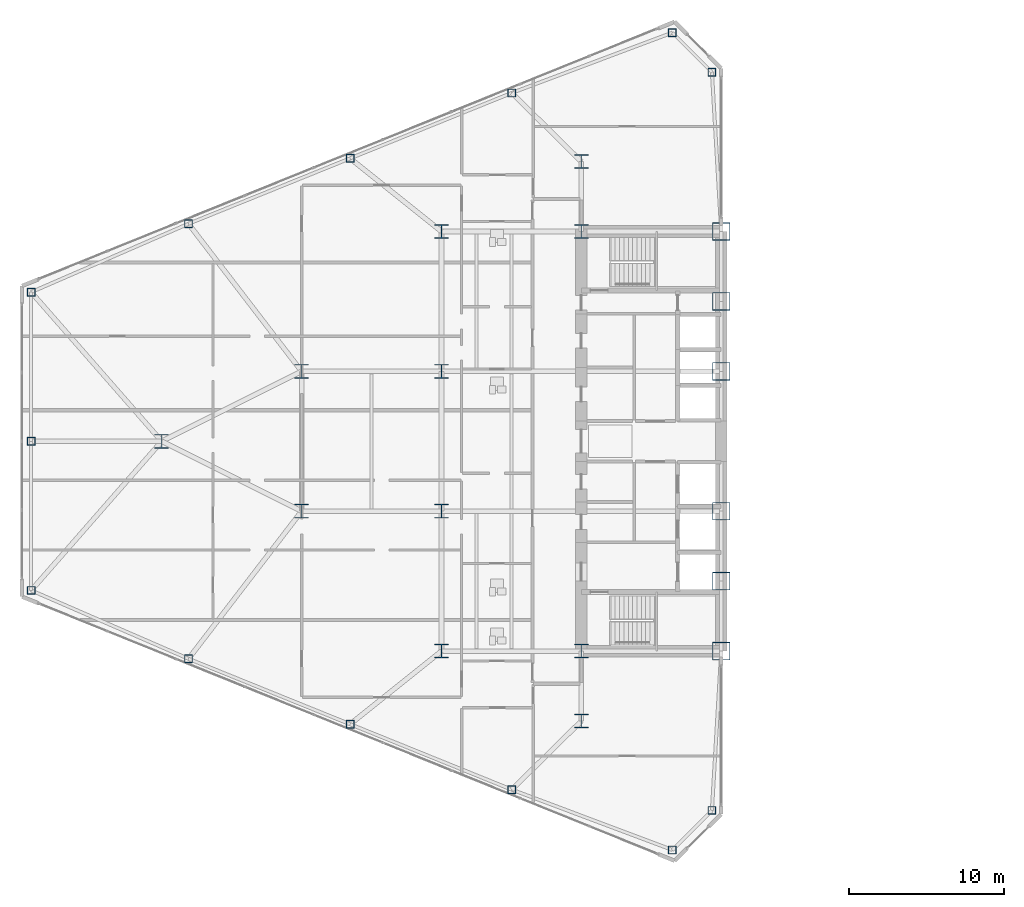
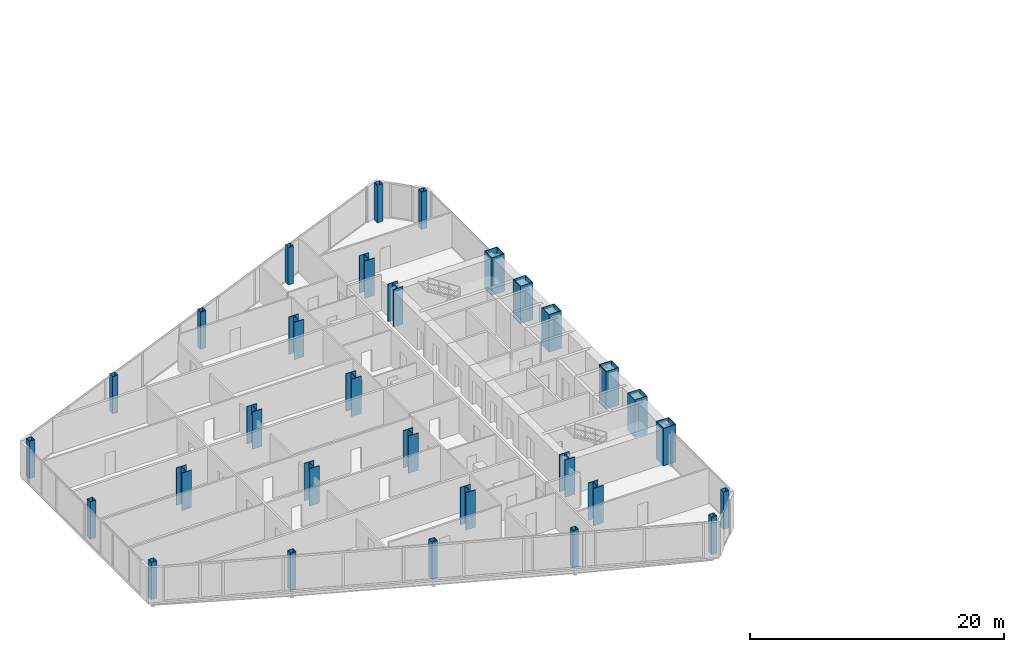
# One storey, part 1 of 25: 30 columns.
"""IFC4 building model written with IfcOpenShell, lengths in metres."""

from ifc_helpers import new_model, si_unit, direction, frame, origin, origin_2d, place, context, subcontext, project, spatial, hollow_rectangle, i_section, extrude, source, transform, mapped, material, material_profile, profile_set, type_object, type_shapes, element, save


model = new_model("IFC4")

# Units and contexts
model_context = context("Model", 3, precision=1e-05, world=origin(), true_north=direction((0.0, 1.0)))
body_context = subcontext(model_context, "Body", "Model", "MODEL_VIEW")
ifc_project = project(units=[si_unit("LENGTHUNIT", "METRE"), si_unit("AREAUNIT", "SQUARE_METRE"), si_unit("VOLUMEUNIT", "CUBIC_METRE"), si_unit("PLANEANGLEUNIT", "RADIAN"), si_unit("MASSUNIT", "GRAM", prefix="KILO")], contexts=[model_context])

# Site, building, storey
site_placement = place(None, origin())
site = spatial("IfcSite", under=ifc_project, at=site_placement, CompositionType="ELEMENT")
building_placement = place(site_placement, origin())
building = spatial("IfcBuilding", under=site, at=building_placement, Name="Seokmaru Belvedere", CompositionType="ELEMENT")
storey_placement = place(building_placement, frame((0.0, 0.0, 26.10009765625)))
storey = spatial("IfcBuildingStorey", under=building, at=storey_placement, Name="L06", CompositionType="ELEMENT", Elevation=26.10009765625)

# Columns
ifc_material_1 = material(Name="Steel HSA650 (650 MPa)", Category="steel")
ifc_material_profile_1 = material_profile(ifc_material_1, hollow_rectangle(XDim=1.14990234375, YDim=1.14990234375, WallThickness=0.048095703125, at=origin_2d()), Name="BOX-1150x1150x48")
ifc_profile_set_1 = profile_set([ifc_material_profile_1], Name="Steel HSA650 (650 MPa)")
column_type_1 = type_object("IfcColumnType", Name="Portal Spine Column BOX-1150", PredefinedType="COLUMN", material=ifc_profile_set_1)
shared_shape_1 = source(origin(), body_context, "Body", "SweptSolid", [
    extrude(hollow_rectangle(XDim=1.14990234375, YDim=1.14990234375, WallThickness=0.048095703125, at=origin_2d()), origin(), (0.0, 0.0, 1.0), 3.599853515625),
])
type_shapes(column_type_1, [shared_shape_1])
for number, where, z_axis, x_axis, name in (
    (1, (-27.5, -13.5, 0.0), (0.0, 0.0, 1.0), (1.0, 0.0, 0.0), "L06 Column WS1"),
    (2, (-27.5, -9.0, 0.0), (0.0, 0.0, 1.0), (1.0, 0.0, 0.0), "L06 Column WS2"),
    (3, (-27.5, -4.5, 0.0), (0.0, 0.0, 1.0), (1.0, 0.0, 0.0), "L06 Column WS3"),
    (4, (-27.5, 4.5, 0.0), (0.0, 0.0, 1.0), (1.0, 0.0, 0.0), "L06 Column WS4"),
    (5, (-27.5, 9.0, 0.0), (0.0, 0.0, 1.0), (1.0, 0.0, 0.0), "L06 Column WS5"),
    (6, (-27.5, 13.5, 0.0), (0.0, 0.0, 1.0), (1.0, 0.0, 0.0), "L06 Column WS6"),
):
    element("IfcColumn", number, at=place(storey_placement, frame(where, z_axis=z_axis, x_axis=x_axis)), inside=storey, type_object=column_type_1, Name=name, PredefinedType="COLUMN", context=body_context, shape_type="MappedRepresentation", body=[
        mapped(shared_shape_1, transform((0.0, 0.0, 0.0), scale=1.0)),
    ])
ifc_material_profile_2 = material_profile(ifc_material_1, i_section(OverallWidth=0.89990234375, OverallDepth=0.89990234375, WebThickness=0.035888671875, FlangeThickness=0.054931640625, at=origin_2d()), Name="H-900x900x36x55")
ifc_profile_set_2 = profile_set([ifc_material_profile_2], Name="Steel HSA650 (650 MPa)")
column_type_2 = type_object("IfcColumnType", Name="Lower Interior Column H-900", PredefinedType="COLUMN", material=ifc_profile_set_2)
shared_shape_2 = source(origin(), body_context, "Body", "SweptSolid", [
    extrude(i_section(OverallWidth=0.89990234375, OverallDepth=0.89990234375, WebThickness=0.035888671875, FlangeThickness=0.054931640625, at=origin_2d()), origin(), (0.0, 0.0, 1.0), 3.599853515625),
])
type_shapes(column_type_2, [shared_shape_2])
for number, where, z_axis, x_axis, name in (
    (7, (-36.5, -18.0, 0.0), (0.0, 0.0, 1.0), (1.0, 0.0, 0.0), "L06 Column WC1"),
    (8, (-36.5, -13.5, 0.0), (0.0, 0.0, 1.0), (1.0, 0.0, 0.0), "L06 Column WC2"),
    (9, (-36.5, 13.5, 0.0), (0.0, 0.0, 1.0), (1.0, 0.0, 0.0), "L06 Column WC3"),
    (10, (-36.5, 18.0, 0.0), (0.0, 0.0, 1.0), (1.0, 0.0, 0.0), "L06 Column WC4"),
    (11, (-45.5, -13.5, 0.0), (0.0, 0.0, 1.0), (1.0, 0.0, 0.0), "L06 Column WG5_1"),
    (12, (-45.5, -4.5, 0.0), (0.0, 0.0, 1.0), (1.0, 0.0, 0.0), "L06 Column WG5_2"),
    (13, (-45.5, 4.5, 0.0), (0.0, 0.0, 1.0), (1.0, 0.0, 0.0), "L06 Column WG5_3"),
    (14, (-45.5, 13.5, 0.0), (0.0, 0.0, 1.0), (1.0, 0.0, 0.0), "L06 Column WG5_4"),
    (15, (-54.5, -4.5, 0.0), (0.0, 0.0, 1.0), (1.0, 0.0, 0.0), "L06 Column WG4P_1"),
    (16, (-54.5, 4.5, 0.0), (0.0, 0.0, 1.0), (1.0, 0.0, 0.0), "L06 Column WG4P_2"),
    (17, (-63.5, 0.0, 0.0), (0.0, 0.0, 1.0), (1.0, 0.0, 0.0), "L06 Column WG3P_1"),
):
    element("IfcColumn", number, at=place(storey_placement, frame(where, z_axis=z_axis, x_axis=x_axis)), inside=storey, type_object=column_type_2, Name=name, PredefinedType="COLUMN", context=body_context, shape_type="MappedRepresentation", body=[
        mapped(shared_shape_2, transform((0.0, 0.0, 0.0), scale=1.0)),
    ])
ifc_material_2 = material(Name="Steel SM355 (355 MPa)", Category="steel")
ifc_material_profile_3 = material_profile(ifc_material_2, hollow_rectangle(XDim=0.5, YDim=0.5, WallThickness=0.02001953125, at=origin_2d()), Name="HSS-500x500x20")
ifc_profile_set_3 = profile_set([ifc_material_profile_3], Name="Steel SM355 (355 MPa)")
column_type_3 = type_object("IfcColumnType", Name="Perimeter Facet Column HSS-500", PredefinedType="COLUMN", material=ifc_profile_set_3)
shared_shape_3 = source(origin(), body_context, "Body", "SweptSolid", [
    extrude(hollow_rectangle(XDim=0.5, YDim=0.5, WallThickness=0.02001953125, at=origin_2d()), origin(), (0.0, 0.0, 1.0), 3.599853515625),
])
type_shapes(column_type_3, [shared_shape_3])
for number, where, z_axis, x_axis, name in (
    (18, (-28.10009765625, -23.75146484375, 0.0), (0.0, 0.0, 1.0), (1.0, 0.0, 0.0), "L06 Column WF1"),
    (19, (-28.10009765625, 23.75146484375, 0.0), (0.0, 0.0, 1.0), (1.0, 0.0, 0.0), "L06 Column WF2"),
    (20, (-30.643310546875, 26.294677734375, 0.0), (0.0, 0.0, 1.0), (1.0, 0.0, 0.0), "L06 Column WF3"),
    (21, (-71.89990234375, 9.595703125, 0.0), (0.0, 0.0, 1.0), (1.0, 0.0, 0.0), "L06 Column WF4"),
    (22, (-71.89990234375, -9.595703125, 0.0), (0.0, 0.0, 1.0), (1.0, 0.0, 0.0), "L06 Column WF5"),
    (23, (-30.643310546875, -26.294677734375, 0.0), (0.0, 0.0, 1.0), (1.0, 0.0, 0.0), "L06 Column WF6"),
    (24, (-40.977294921875, -22.4140625, 0.0), (0.0, 0.0, 1.0), (1.0, 0.0, 0.0), "L06 Column WFLK_S1"),
    (25, (-51.378173828125, -18.2041015625, 0.0), (0.0, 0.0, 1.0), (1.0, 0.0, 0.0), "L06 Column WFLK_S2"),
    (26, (-61.779052734375, -13.994140625, 0.0), (0.0, 0.0, 1.0), (1.0, 0.0, 0.0), "L06 Column WFLK_S3"),
    (27, (-40.977294921875, 22.4140625, 0.0), (0.0, 0.0, 1.0), (1.0, 0.0, 0.0), "L06 Column WFLK_N1"),
    (28, (-51.378173828125, 18.2041015625, 0.0), (0.0, 0.0, 1.0), (1.0, 0.0, 0.0), "L06 Column WFLK_N2"),
    (29, (-61.779052734375, 13.994140625, 0.0), (0.0, 0.0, 1.0), (1.0, 0.0, 0.0), "L06 Column WFLK_N3"),
    (30, (-71.89990234375, 0.0, 0.0), (0.0, 0.0, 1.0), (1.0, 0.0, 0.0), "L06 Column WF_APXM"),
):
    element("IfcColumn", number, at=place(storey_placement, frame(where, z_axis=z_axis, x_axis=x_axis)), inside=storey, type_object=column_type_3, Name=name, PredefinedType="COLUMN", context=body_context, shape_type="MappedRepresentation", body=[
        mapped(shared_shape_3, transform((0.0, 0.0, 0.0), scale=1.0)),
    ])

save(model, "model.ifc")
